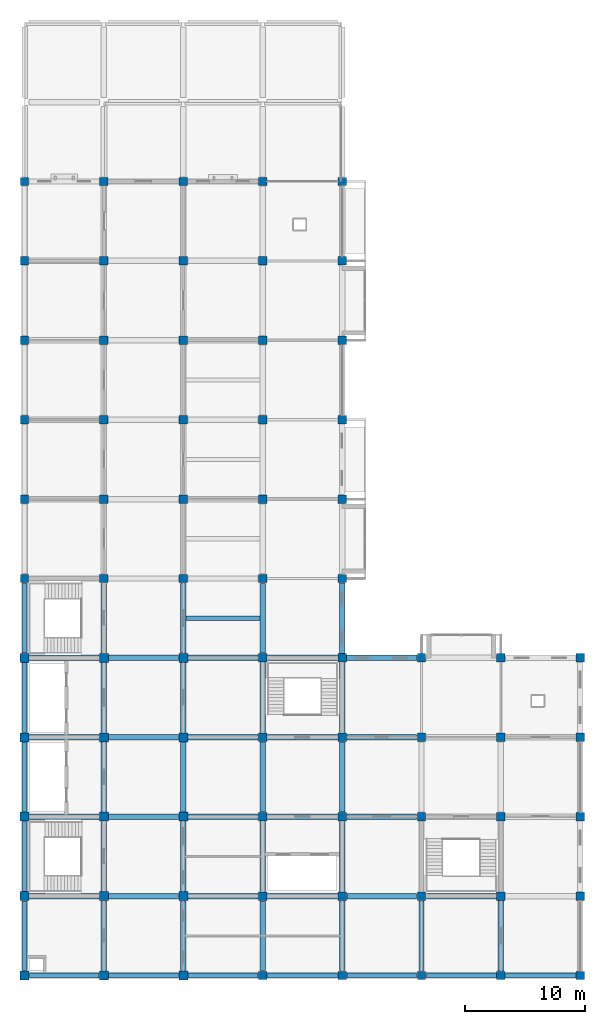
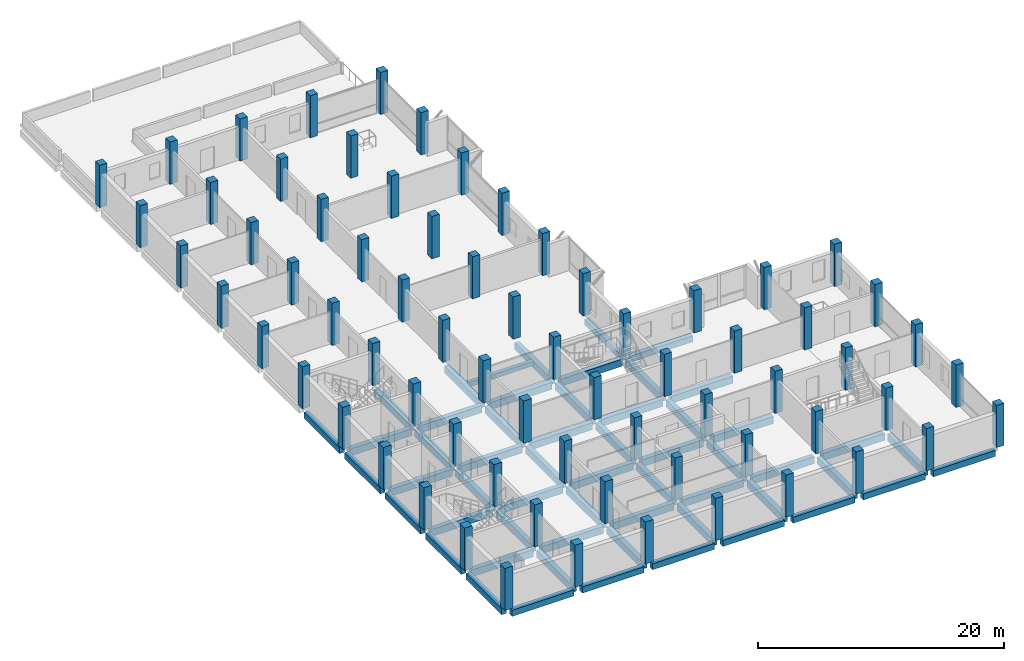
# One storey, part 1 of 13: 70 columns, 56 beams.
"""IFC4 building model written with IfcOpenShell, lengths in metres."""

from ifc_helpers import new_model, si_unit, direction, frame, origin, origin_2d, place, context, subcontext, project, spatial, rectangle, extrude, material, material_profile, profile_set, type_object, element, save


model = new_model("IFC4")

# Units and contexts
model_context = context("Model", 3, precision=1e-05, world=origin(), true_north=direction((0.0, 1.0)))
body_context = subcontext(model_context, "Body", "Model", "MODEL_VIEW")
ifc_project = project(units=[si_unit("LENGTHUNIT", "METRE"), si_unit("AREAUNIT", "SQUARE_METRE"), si_unit("VOLUMEUNIT", "CUBIC_METRE"), si_unit("PLANEANGLEUNIT", "RADIAN"), si_unit("MASSUNIT", "GRAM", prefix="KILO")], contexts=[model_context])

# Site, building, storey
site_placement = place(None, origin())
site = spatial("IfcSite", under=ifc_project, at=site_placement, CompositionType="ELEMENT")
building_placement = place(site_placement, origin())
building = spatial("IfcBuilding", under=site, at=building_placement, Name="Rusizi Kubbe Research Institute", CompositionType="ELEMENT")
storey_placement = place(building_placement, frame((0.0, 0.0, 35.39990234375)))
storey = spatial("IfcBuildingStorey", under=building, at=storey_placement, Name="L08", CompositionType="ELEMENT", Elevation=35.39990234375)

# Columns
ifc_material_1 = material(Name="Concrete C40/50", Category="concrete")
ifc_material_profile_1 = material_profile(ifc_material_1, rectangle(XDim=0.699951171875, YDim=0.699951171875, at=origin_2d()), Name="RC700x700")
ifc_profile_set_1 = profile_set([ifc_material_profile_1], Name="Concrete C40/50")
column_type_1 = type_object("IfcColumnType", Name="COL-700", PredefinedType="COLUMN", material=ifc_profile_set_1)
for number, where, z_axis, x_axis, name in (
    (1, (0.0, 33.0, 0.0), (0.0, 0.0, 1.0), (1.0, 0.0, 0.0), "Column 1F L08"),
    (2, (0.0, 39.60009765625, 0.0), (0.0, 0.0, 1.0), (1.0, 0.0, 0.0), "Column 1G L08"),
    (3, (0.0, 46.199951171875, 0.0), (0.0, 0.0, 1.0), (1.0, 0.0, 0.0), "Column 1H L08"),
    (4, (0.0, 52.800048828125, 0.0), (0.0, 0.0, 1.0), (1.0, 0.0, 0.0), "Column 1J L08"),
    (5, (0.0, 59.39990234375, 0.0), (0.0, 0.0, 1.0), (1.0, 0.0, 0.0), "Column 1K L08"),
    (6, (0.0, 66.0, 0.0), (0.0, 0.0, 1.0), (1.0, 0.0, 0.0), "Column 1L L08"),
    (7, (6.60009765625, 33.0, 0.0), (0.0, 0.0, 1.0), (1.0, 0.0, 0.0), "Column 2F L08"),
    (8, (6.60009765625, 39.60009765625, 0.0), (0.0, 0.0, 1.0), (1.0, 0.0, 0.0), "Column 2G L08"),
    (9, (6.60009765625, 46.199951171875, 0.0), (0.0, 0.0, 1.0), (1.0, 0.0, 0.0), "Column 2H L08"),
    (10, (6.60009765625, 52.800048828125, 0.0), (0.0, 0.0, 1.0), (1.0, 0.0, 0.0), "Column 2J L08"),
    (11, (6.60009765625, 59.39990234375, 0.0), (0.0, 0.0, 1.0), (1.0, 0.0, 0.0), "Column 2K L08"),
    (12, (6.60009765625, 66.0, 0.0), (0.0, 0.0, 1.0), (1.0, 0.0, 0.0), "Column 2L L08"),
    (13, (13.199951171875, 33.0, 0.0), (0.0, 0.0, 1.0), (1.0, 0.0, 0.0), "Column 3F L08"),
    (14, (13.199951171875, 39.60009765625, 0.0), (0.0, 0.0, 1.0), (1.0, 0.0, 0.0), "Column 3G L08"),
    (15, (13.199951171875, 46.199951171875, 0.0), (0.0, 0.0, 1.0), (1.0, 0.0, 0.0), "Column 3H L08"),
    (16, (13.199951171875, 52.800048828125, 0.0), (0.0, 0.0, 1.0), (1.0, 0.0, 0.0), "Column 3J L08"),
    (17, (13.199951171875, 59.39990234375, 0.0), (0.0, 0.0, 1.0), (1.0, 0.0, 0.0), "Column 3K L08"),
    (18, (13.199951171875, 66.0, 0.0), (0.0, 0.0, 1.0), (1.0, 0.0, 0.0), "Column 3L L08"),
    (19, (19.800048828125, 0.0, 0.0), (0.0, 0.0, 1.0), (1.0, 0.0, 0.0), "Column 4A L08"),
    (20, (19.800048828125, 6.60009765625, 0.0), (0.0, 0.0, 1.0), (1.0, 0.0, 0.0), "Column 4B L08"),
    (21, (19.800048828125, 13.199951171875, 0.0), (0.0, 0.0, 1.0), (1.0, 0.0, 0.0), "Column 4C L08"),
    (22, (19.800048828125, 19.800048828125, 0.0), (0.0, 0.0, 1.0), (1.0, 0.0, 0.0), "Column 4D L08"),
    (23, (19.800048828125, 26.39990234375, 0.0), (0.0, 0.0, 1.0), (1.0, 0.0, 0.0), "Column 4E L08"),
    (24, (19.800048828125, 33.0, 0.0), (0.0, 0.0, 1.0), (1.0, 0.0, 0.0), "Column 4F L08"),
    (25, (19.800048828125, 39.60009765625, 0.0), (0.0, 0.0, 1.0), (1.0, 0.0, 0.0), "Column 4G L08"),
    (26, (19.800048828125, 46.199951171875, 0.0), (0.0, 0.0, 1.0), (1.0, 0.0, 0.0), "Column 4H L08"),
    (27, (19.800048828125, 52.800048828125, 0.0), (0.0, 0.0, 1.0), (1.0, 0.0, 0.0), "Column 4J L08"),
    (28, (19.800048828125, 59.39990234375, 0.0), (0.0, 0.0, 1.0), (1.0, 0.0, 0.0), "Column 4K L08"),
    (29, (19.800048828125, 66.0, 0.0), (0.0, 0.0, 1.0), (1.0, 0.0, 0.0), "Column 4L L08"),
    (30, (26.39990234375, 0.0, 0.0), (0.0, 0.0, 1.0), (1.0, 0.0, 0.0), "Column 5A L08"),
    (31, (26.39990234375, 6.60009765625, 0.0), (0.0, 0.0, 1.0), (1.0, 0.0, 0.0), "Column 5B L08"),
    (32, (26.39990234375, 13.199951171875, 0.0), (0.0, 0.0, 1.0), (1.0, 0.0, 0.0), "Column 5C L08"),
    (33, (26.39990234375, 19.800048828125, 0.0), (0.0, 0.0, 1.0), (1.0, 0.0, 0.0), "Column 5D L08"),
    (34, (26.39990234375, 26.39990234375, 0.0), (0.0, 0.0, 1.0), (1.0, 0.0, 0.0), "Column 5E L08"),
    (35, (26.39990234375, 33.0, 0.0), (0.0, 0.0, 1.0), (1.0, 0.0, 0.0), "Column 5F L08"),
    (36, (26.39990234375, 39.60009765625, 0.0), (0.0, 0.0, 1.0), (1.0, 0.0, 0.0), "Column 5G L08"),
    (37, (26.39990234375, 46.199951171875, 0.0), (0.0, 0.0, 1.0), (1.0, 0.0, 0.0), "Column 5H L08"),
    (38, (26.39990234375, 52.800048828125, 0.0), (0.0, 0.0, 1.0), (1.0, 0.0, 0.0), "Column 5J L08"),
    (39, (26.39990234375, 59.39990234375, 0.0), (0.0, 0.0, 1.0), (1.0, 0.0, 0.0), "Column 5K L08"),
    (40, (26.39990234375, 66.0, 0.0), (0.0, 0.0, 1.0), (1.0, 0.0, 0.0), "Column 5L L08"),
    (41, (33.0, 0.0, 0.0), (0.0, 0.0, 1.0), (1.0, 0.0, 0.0), "Column 6A L08"),
    (42, (33.0, 6.60009765625, 0.0), (0.0, 0.0, 1.0), (1.0, 0.0, 0.0), "Column 6B L08"),
    (43, (33.0, 13.199951171875, 0.0), (0.0, 0.0, 1.0), (1.0, 0.0, 0.0), "Column 6C L08"),
    (44, (33.0, 19.800048828125, 0.0), (0.0, 0.0, 1.0), (1.0, 0.0, 0.0), "Column 6D L08"),
    (45, (33.0, 26.39990234375, 0.0), (0.0, 0.0, 1.0), (1.0, 0.0, 0.0), "Column 6E L08"),
    (46, (39.60009765625, 0.0, 0.0), (0.0, 0.0, 1.0), (1.0, 0.0, 0.0), "Column 7A L08"),
    (47, (39.60009765625, 6.60009765625, 0.0), (0.0, 0.0, 1.0), (1.0, 0.0, 0.0), "Column 7B L08"),
    (48, (39.60009765625, 13.199951171875, 0.0), (0.0, 0.0, 1.0), (1.0, 0.0, 0.0), "Column 7C L08"),
    (49, (39.60009765625, 19.800048828125, 0.0), (0.0, 0.0, 1.0), (1.0, 0.0, 0.0), "Column 7D L08"),
    (50, (39.60009765625, 26.39990234375, 0.0), (0.0, 0.0, 1.0), (1.0, 0.0, 0.0), "Column 7E L08"),
    (51, (46.199951171875, 0.0, 0.0), (0.0, 0.0, 1.0), (1.0, 0.0, 0.0), "Column 8A L08"),
    (52, (46.199951171875, 6.60009765625, 0.0), (0.0, 0.0, 1.0), (1.0, 0.0, 0.0), "Column 8B L08"),
    (53, (46.199951171875, 13.199951171875, 0.0), (0.0, 0.0, 1.0), (1.0, 0.0, 0.0), "Column 8C L08"),
    (54, (46.199951171875, 19.800048828125, 0.0), (0.0, 0.0, 1.0), (1.0, 0.0, 0.0), "Column 8D L08"),
    (55, (46.199951171875, 26.39990234375, 0.0), (0.0, 0.0, 1.0), (1.0, 0.0, 0.0), "Column 8E L08"),
):
    element("IfcColumn", number, at=place(storey_placement, frame(where, z_axis=z_axis, x_axis=x_axis)), inside=storey, type_object=column_type_1, Name=name, PredefinedType="COLUMN", context=body_context, shape_type="SweptSolid", body=[
        extrude(rectangle(XDim=0.699951171875, YDim=0.699951171875, at=origin_2d()), origin(), (0.0, 0.0, 1.0), 4.2001953125),
    ])
ifc_material_2 = material(Name="Concrete C40/50", Category="concrete")
ifc_material_profile_2 = material_profile(ifc_material_2, rectangle(XDim=0.75, YDim=0.75, at=origin_2d()), Name="RC750x750")
ifc_profile_set_2 = profile_set([ifc_material_profile_2], Name="Concrete C40/50")
column_type_2 = type_object("IfcColumnType", Name="COL-750", PredefinedType="COLUMN", material=ifc_profile_set_2)
for number, where, z_axis, x_axis, name in (
    (56, (0.0, 0.0, 0.0), (0.0, 0.0, 1.0), (1.0, 0.0, 0.0), "Column 1A L08"),
    (57, (0.0, 6.60009765625, 0.0), (0.0, 0.0, 1.0), (1.0, 0.0, 0.0), "Column 1B L08"),
    (58, (0.0, 13.199951171875, 0.0), (0.0, 0.0, 1.0), (1.0, 0.0, 0.0), "Column 1C L08"),
    (59, (0.0, 19.800048828125, 0.0), (0.0, 0.0, 1.0), (1.0, 0.0, 0.0), "Column 1D L08"),
    (60, (0.0, 26.39990234375, 0.0), (0.0, 0.0, 1.0), (1.0, 0.0, 0.0), "Column 1E L08"),
    (61, (6.60009765625, 0.0, 0.0), (0.0, 0.0, 1.0), (1.0, 0.0, 0.0), "Column 2A L08"),
    (62, (6.60009765625, 6.60009765625, 0.0), (0.0, 0.0, 1.0), (1.0, 0.0, 0.0), "Column 2B L08"),
    (63, (6.60009765625, 13.199951171875, 0.0), (0.0, 0.0, 1.0), (1.0, 0.0, 0.0), "Column 2C L08"),
    (64, (6.60009765625, 19.800048828125, 0.0), (0.0, 0.0, 1.0), (1.0, 0.0, 0.0), "Column 2D L08"),
    (65, (6.60009765625, 26.39990234375, 0.0), (0.0, 0.0, 1.0), (1.0, 0.0, 0.0), "Column 2E L08"),
    (66, (13.199951171875, 0.0, 0.0), (0.0, 0.0, 1.0), (1.0, 0.0, 0.0), "Column 3A L08"),
    (67, (13.199951171875, 6.60009765625, 0.0), (0.0, 0.0, 1.0), (1.0, 0.0, 0.0), "Column 3B L08"),
    (68, (13.199951171875, 13.199951171875, 0.0), (0.0, 0.0, 1.0), (1.0, 0.0, 0.0), "Column 3C L08"),
    (69, (13.199951171875, 19.800048828125, 0.0), (0.0, 0.0, 1.0), (1.0, 0.0, 0.0), "Column 3D L08"),
    (70, (13.199951171875, 26.39990234375, 0.0), (0.0, 0.0, 1.0), (1.0, 0.0, 0.0), "Column 3E L08"),
):
    element("IfcColumn", number, at=place(storey_placement, frame(where, z_axis=z_axis, x_axis=x_axis)), inside=storey, type_object=column_type_2, Name=name, PredefinedType="COLUMN", context=body_context, shape_type="SweptSolid", body=[
        extrude(rectangle(XDim=0.75, YDim=0.75, at=origin_2d()), origin(), (0.0, 0.0, 1.0), 4.2001953125),
    ])

# Beams
ifc_material_3 = material(Name="Concrete C40/50", Category="concrete")
ifc_material_profile_3 = material_profile(ifc_material_3, rectangle(XDim=0.35009765625, YDim=0.449951171875, at=origin_2d()), Name="RC350x450")
ifc_profile_set_3 = profile_set([ifc_material_profile_3], Name="Concrete C40/50")
beam_type_1 = type_object("IfcBeamType", Name="BM-RC350x450", PredefinedType="JOIST", material=ifc_profile_set_3)
beam_1_placement = place(storey_placement, frame((13.425048828125, 29.699951171875, -0.544921875), z_axis=(1.0, 0.0, 0.0), x_axis=(0.0, 1.0, 0.0)))
element("IfcBeam", 71, at=beam_1_placement, inside=storey, type_object=beam_type_1, Name="Lab Stiffener Joist L08 (2,4)", PredefinedType="JOIST", context=body_context, shape_type="SweptSolid", body=[
    extrude(rectangle(XDim=0.35009765625, YDim=0.449951171875, at=origin_2d()), origin(), (0.0, 0.0, 1.0), 6.14990234375),
])
ifc_material_4 = material(Name="Concrete C40/50", Category="concrete")
ifc_material_profile_4 = material_profile(ifc_material_4, rectangle(XDim=0.449951171875, YDim=0.60009765625, at=origin_2d()), Name="RC450x600")
ifc_profile_set_4 = profile_set([ifc_material_profile_4], Name="Concrete C40/50")
beam_type_2 = type_object("IfcBeamType", Name="BM-RC450x600", PredefinedType="SPANDREL", material=ifc_profile_set_4)
for number, where, z_axis, x_axis, name in (
    (72, (0.39990234375, 0.0, -0.619873046875), (1.0, 0.0, 0.0), (0.0, 1.0, 0.0), "Grid Beam H L08 (0,0)"),
    (73, (7.0, 0.0, -0.619873046875), (1.0, 0.0, 0.0), (0.0, 1.0, 0.0), "Grid Beam H L08 (1,0)"),
):
    element("IfcBeam", number, at=place(storey_placement, frame(where, z_axis=z_axis, x_axis=x_axis)), inside=storey, type_object=beam_type_2, Name=name, PredefinedType="SPANDREL", context=body_context, shape_type="SweptSolid", body=[
        extrude(rectangle(XDim=0.449951171875, YDim=0.60009765625, at=origin_2d()), origin(), (0.0, 0.0, 1.0), 5.800048828125),
    ])
beam_2_placement = place(storey_placement, frame((13.60009765625, 0.0, -0.619873046875), z_axis=(1.0, 0.0, 0.0), x_axis=(0.0, 1.0, 0.0)))
element("IfcBeam", 74, at=beam_2_placement, inside=storey, type_object=beam_type_2, Name="Grid Beam H L08 (2,0)", PredefinedType="SPANDREL", context=body_context, shape_type="SweptSolid", body=[
    extrude(rectangle(XDim=0.449951171875, YDim=0.60009765625, at=origin_2d()), origin(), (0.0, 0.0, 1.0), 5.7998046875),
])
for number, where, z_axis, x_axis, name in (
    (75, (20.199951171875, 0.0, -0.619873046875), (1.0, 0.0, 0.0), (0.0, 1.0, 0.0), "Grid Beam H L08 (3,0)"),
    (76, (26.800048828125, 0.0, -0.619873046875), (1.0, 0.0, 0.0), (0.0, 1.0, 0.0), "Grid Beam H L08 (4,0)"),
):
    element("IfcBeam", number, at=place(storey_placement, frame(where, z_axis=z_axis, x_axis=x_axis)), inside=storey, type_object=beam_type_2, Name=name, PredefinedType="SPANDREL", context=body_context, shape_type="SweptSolid", body=[
        extrude(rectangle(XDim=0.449951171875, YDim=0.60009765625, at=origin_2d()), origin(), (0.0, 0.0, 1.0), 5.800048828125),
    ])
beam_3_placement = place(storey_placement, frame((26.77490234375, 26.39990234375, -0.619873046875), z_axis=(1.0, 0.0, 0.0), x_axis=(0.0, 1.0, 0.0)))
element("IfcBeam", 77, at=beam_3_placement, inside=storey, type_object=beam_type_2, Name="Grid Beam H L08 (4,4)", PredefinedType="SPANDREL", context=body_context, shape_type="SweptSolid", body=[
    extrude(rectangle(XDim=0.449951171875, YDim=0.60009765625, at=origin_2d()), origin(), (0.0, 0.0, 1.0), 5.85009765625),
])
beam_4_placement = place(storey_placement, frame((33.39990234375, 0.0, -0.619873046875), z_axis=(1.0, 0.0, 0.0), x_axis=(0.0, 1.0, 0.0)))
element("IfcBeam", 78, at=beam_4_placement, inside=storey, type_object=beam_type_2, Name="Grid Beam H L08 (5,0)", PredefinedType="SPANDREL", context=body_context, shape_type="SweptSolid", body=[
    extrude(rectangle(XDim=0.449951171875, YDim=0.60009765625, at=origin_2d()), origin(), (0.0, 0.0, 1.0), 5.8251953125),
])
beam_5_placement = place(storey_placement, frame((39.97509765625, 0.0, -0.619873046875), z_axis=(1.0, 0.0, 0.0), x_axis=(0.0, 1.0, 0.0)))
element("IfcBeam", 79, at=beam_5_placement, inside=storey, type_object=beam_type_2, Name="Grid Beam H L08 (6,0)", PredefinedType="SPANDREL", context=body_context, shape_type="SweptSolid", body=[
    extrude(rectangle(XDim=0.449951171875, YDim=0.60009765625, at=origin_2d()), origin(), (0.0, 0.0, 1.0), 5.849853515625),
])
for number, where, z_axis, x_axis, name in (
    (80, (0.0, 0.39990234375, -0.619873046875), (0.0, 1.0, 0.0), (-1.0, 0.0, 0.0), "Grid Beam V L08 (0,0)"),
    (81, (0.0, 7.0, -0.619873046875), (0.0, 1.0, 0.0), (-1.0, 0.0, 0.0), "Grid Beam V L08 (0,1)"),
):
    element("IfcBeam", number, at=place(storey_placement, frame(where, z_axis=z_axis, x_axis=x_axis)), inside=storey, type_object=beam_type_2, Name=name, PredefinedType="SPANDREL", context=body_context, shape_type="SweptSolid", body=[
        extrude(rectangle(XDim=0.449951171875, YDim=0.60009765625, at=origin_2d()), origin(), (0.0, 0.0, 1.0), 5.800048828125),
    ])
beam_6_placement = place(storey_placement, frame((0.0, 13.60009765625, -0.619873046875), z_axis=(0.0, 1.0, 0.0), x_axis=(-1.0, 0.0, 0.0)))
element("IfcBeam", 82, at=beam_6_placement, inside=storey, type_object=beam_type_2, Name="Grid Beam V L08 (0,2)", PredefinedType="SPANDREL", context=body_context, shape_type="SweptSolid", body=[
    extrude(rectangle(XDim=0.449951171875, YDim=0.60009765625, at=origin_2d()), origin(), (0.0, 0.0, 1.0), 5.7998046875),
])
for number, where, z_axis, x_axis, name in (
    (83, (0.0, 20.199951171875, -0.619873046875), (0.0, 1.0, 0.0), (-1.0, 0.0, 0.0), "Grid Beam V L08 (0,3)"),
    (84, (0.0, 26.800048828125, -0.619873046875), (0.0, 1.0, 0.0), (-1.0, 0.0, 0.0), "Grid Beam V L08 (0,4)"),
):
    element("IfcBeam", number, at=place(storey_placement, frame(where, z_axis=z_axis, x_axis=x_axis)), inside=storey, type_object=beam_type_2, Name=name, PredefinedType="SPANDREL", context=body_context, shape_type="SweptSolid", body=[
        extrude(rectangle(XDim=0.449951171875, YDim=0.60009765625, at=origin_2d()), origin(), (0.0, 0.0, 1.0), 5.800048828125),
    ])
beam_7_placement = place(storey_placement, frame((26.39990234375, 26.77490234375, -0.619873046875), z_axis=(0.0, 1.0, 0.0), x_axis=(-1.0, 0.0, 0.0)))
element("IfcBeam", 85, at=beam_7_placement, inside=storey, type_object=beam_type_2, Name="Grid Beam V L08 (4,4)", PredefinedType="SPANDREL", context=body_context, shape_type="SweptSolid", body=[
    extrude(rectangle(XDim=0.449951171875, YDim=0.60009765625, at=origin_2d()), origin(), (0.0, 0.0, 1.0), 5.85009765625),
])
ifc_material_5 = material(Name="Concrete C40/50", Category="concrete")
ifc_material_profile_5 = material_profile(ifc_material_5, rectangle(XDim=0.449951171875, YDim=0.699951171875, at=origin_2d()), Name="RC450x700B")
ifc_profile_set_5 = profile_set([ifc_material_profile_5], Name="Concrete C40/50")
beam_type_3 = type_object("IfcBeamType", Name="BM-RC450x700", PredefinedType="BEAM", material=ifc_profile_set_5)
for number, where, z_axis, x_axis, name in (
    (86, (0.39990234375, 6.60009765625, -0.669921875), (1.0, 0.0, 0.0), (0.0, 1.0, 0.0), "Grid Beam H L08 (0,1)"),
    (87, (0.39990234375, 13.199951171875, -0.669921875), (1.0, 0.0, 0.0), (0.0, 1.0, 0.0), "Grid Beam H L08 (0,2)"),
    (88, (0.39990234375, 19.800048828125, -0.669921875), (1.0, 0.0, 0.0), (0.0, 1.0, 0.0), "Grid Beam H L08 (0,3)"),
    (89, (0.39990234375, 26.39990234375, -0.669921875), (1.0, 0.0, 0.0), (0.0, 1.0, 0.0), "Grid Beam H L08 (0,4)"),
    (90, (7.0, 6.60009765625, -0.669921875), (1.0, 0.0, 0.0), (0.0, 1.0, 0.0), "Grid Beam H L08 (1,1)"),
    (91, (7.0, 13.199951171875, -0.669921875), (1.0, 0.0, 0.0), (0.0, 1.0, 0.0), "Grid Beam H L08 (1,2)"),
    (92, (7.0, 19.800048828125, -0.669921875), (1.0, 0.0, 0.0), (0.0, 1.0, 0.0), "Grid Beam H L08 (1,3)"),
    (93, (7.0, 26.39990234375, -0.669921875), (1.0, 0.0, 0.0), (0.0, 1.0, 0.0), "Grid Beam H L08 (1,4)"),
):
    element("IfcBeam", number, at=place(storey_placement, frame(where, z_axis=z_axis, x_axis=x_axis)), inside=storey, type_object=beam_type_3, Name=name, PredefinedType="BEAM", context=body_context, shape_type="SweptSolid", body=[
        extrude(rectangle(XDim=0.449951171875, YDim=0.699951171875, at=origin_2d()), origin(), (0.0, 0.0, 1.0), 5.800048828125),
    ])
for number, where, z_axis, x_axis, name in (
    (94, (13.60009765625, 6.60009765625, -0.669921875), (1.0, 0.0, 0.0), (0.0, 1.0, 0.0), "Grid Beam H L08 (2,1)"),
    (95, (13.60009765625, 13.199951171875, -0.669921875), (1.0, 0.0, 0.0), (0.0, 1.0, 0.0), "Grid Beam H L08 (2,2)"),
    (96, (13.60009765625, 19.800048828125, -0.669921875), (1.0, 0.0, 0.0), (0.0, 1.0, 0.0), "Grid Beam H L08 (2,3)"),
    (97, (13.60009765625, 26.39990234375, -0.669921875), (1.0, 0.0, 0.0), (0.0, 1.0, 0.0), "Grid Beam H L08 (2,4)"),
):
    element("IfcBeam", number, at=place(storey_placement, frame(where, z_axis=z_axis, x_axis=x_axis)), inside=storey, type_object=beam_type_3, Name=name, PredefinedType="BEAM", context=body_context, shape_type="SweptSolid", body=[
        extrude(rectangle(XDim=0.449951171875, YDim=0.699951171875, at=origin_2d()), origin(), (0.0, 0.0, 1.0), 5.7998046875),
    ])
for number, where, z_axis, x_axis, name in (
    (98, (20.199951171875, 6.60009765625, -0.669921875), (1.0, 0.0, 0.0), (0.0, 1.0, 0.0), "Grid Beam H L08 (3,1)"),
    (99, (20.199951171875, 13.199951171875, -0.669921875), (1.0, 0.0, 0.0), (0.0, 1.0, 0.0), "Grid Beam H L08 (3,2)"),
    (100, (20.199951171875, 19.800048828125, -0.669921875), (1.0, 0.0, 0.0), (0.0, 1.0, 0.0), "Grid Beam H L08 (3,3)"),
):
    element("IfcBeam", number, at=place(storey_placement, frame(where, z_axis=z_axis, x_axis=x_axis)), inside=storey, type_object=beam_type_3, Name=name, PredefinedType="BEAM", context=body_context, shape_type="SweptSolid", body=[
        extrude(rectangle(XDim=0.449951171875, YDim=0.699951171875, at=origin_2d()), origin(), (0.0, 0.0, 1.0), 5.800048828125),
    ])
beam_8_placement = place(storey_placement, frame((20.199951171875, 26.39990234375, -0.669921875), z_axis=(1.0, 0.0, 0.0), x_axis=(0.0, 1.0, 0.0)))
element("IfcBeam", 101, at=beam_8_placement, inside=storey, type_object=beam_type_3, Name="Grid Beam H L08 (3,4)", PredefinedType="BEAM", context=body_context, shape_type="SweptSolid", body=[
    extrude(rectangle(XDim=0.449951171875, YDim=0.699951171875, at=origin_2d()), origin(), (0.0, 0.0, 1.0), 5.824951171875),
])
for number, where, z_axis, x_axis, name in (
    (102, (26.800048828125, 6.60009765625, -0.669921875), (1.0, 0.0, 0.0), (0.0, 1.0, 0.0), "Grid Beam H L08 (4,1)"),
    (103, (26.800048828125, 13.199951171875, -0.669921875), (1.0, 0.0, 0.0), (0.0, 1.0, 0.0), "Grid Beam H L08 (4,2)"),
    (104, (26.800048828125, 19.800048828125, -0.669921875), (1.0, 0.0, 0.0), (0.0, 1.0, 0.0), "Grid Beam H L08 (4,3)"),
):
    element("IfcBeam", number, at=place(storey_placement, frame(where, z_axis=z_axis, x_axis=x_axis)), inside=storey, type_object=beam_type_3, Name=name, PredefinedType="BEAM", context=body_context, shape_type="SweptSolid", body=[
        extrude(rectangle(XDim=0.449951171875, YDim=0.699951171875, at=origin_2d()), origin(), (0.0, 0.0, 1.0), 5.800048828125),
    ])
beam_9_placement = place(storey_placement, frame((33.39990234375, 6.60009765625, -0.669921875), z_axis=(1.0, 0.0, 0.0), x_axis=(0.0, 1.0, 0.0)))
element("IfcBeam", 105, at=beam_9_placement, inside=storey, type_object=beam_type_3, Name="Grid Beam H L08 (5,1)", PredefinedType="BEAM", context=body_context, shape_type="SweptSolid", body=[
    extrude(rectangle(XDim=0.449951171875, YDim=0.699951171875, at=origin_2d()), origin(), (0.0, 0.0, 1.0), 5.8251953125),
])
for number, where, z_axis, x_axis, name in (
    (106, (6.60009765625, 0.39990234375, -0.669921875), (0.0, 1.0, 0.0), (-1.0, 0.0, 0.0), "Grid Beam V L08 (1,0)"),
    (107, (6.60009765625, 7.0, -0.669921875), (0.0, 1.0, 0.0), (-1.0, 0.0, 0.0), "Grid Beam V L08 (1,1)"),
):
    element("IfcBeam", number, at=place(storey_placement, frame(where, z_axis=z_axis, x_axis=x_axis)), inside=storey, type_object=beam_type_3, Name=name, PredefinedType="BEAM", context=body_context, shape_type="SweptSolid", body=[
        extrude(rectangle(XDim=0.449951171875, YDim=0.699951171875, at=origin_2d()), origin(), (0.0, 0.0, 1.0), 5.800048828125),
    ])
beam_10_placement = place(storey_placement, frame((6.60009765625, 13.60009765625, -0.669921875), z_axis=(0.0, 1.0, 0.0), x_axis=(-1.0, 0.0, 0.0)))
element("IfcBeam", 108, at=beam_10_placement, inside=storey, type_object=beam_type_3, Name="Grid Beam V L08 (1,2)", PredefinedType="BEAM", context=body_context, shape_type="SweptSolid", body=[
    extrude(rectangle(XDim=0.449951171875, YDim=0.699951171875, at=origin_2d()), origin(), (0.0, 0.0, 1.0), 5.7998046875),
])
for number, where, z_axis, x_axis, name in (
    (109, (6.60009765625, 20.199951171875, -0.669921875), (0.0, 1.0, 0.0), (-1.0, 0.0, 0.0), "Grid Beam V L08 (1,3)"),
    (110, (6.60009765625, 26.800048828125, -0.669921875), (0.0, 1.0, 0.0), (-1.0, 0.0, 0.0), "Grid Beam V L08 (1,4)"),
    (111, (13.199951171875, 0.39990234375, -0.669921875), (0.0, 1.0, 0.0), (-1.0, 0.0, 0.0), "Grid Beam V L08 (2,0)"),
    (112, (13.199951171875, 7.0, -0.669921875), (0.0, 1.0, 0.0), (-1.0, 0.0, 0.0), "Grid Beam V L08 (2,1)"),
):
    element("IfcBeam", number, at=place(storey_placement, frame(where, z_axis=z_axis, x_axis=x_axis)), inside=storey, type_object=beam_type_3, Name=name, PredefinedType="BEAM", context=body_context, shape_type="SweptSolid", body=[
        extrude(rectangle(XDim=0.449951171875, YDim=0.699951171875, at=origin_2d()), origin(), (0.0, 0.0, 1.0), 5.800048828125),
    ])
beam_11_placement = place(storey_placement, frame((13.199951171875, 13.60009765625, -0.669921875), z_axis=(0.0, 1.0, 0.0), x_axis=(-1.0, 0.0, 0.0)))
element("IfcBeam", 113, at=beam_11_placement, inside=storey, type_object=beam_type_3, Name="Grid Beam V L08 (2,2)", PredefinedType="BEAM", context=body_context, shape_type="SweptSolid", body=[
    extrude(rectangle(XDim=0.449951171875, YDim=0.699951171875, at=origin_2d()), origin(), (0.0, 0.0, 1.0), 5.7998046875),
])
for number, where, z_axis, x_axis, name in (
    (114, (13.199951171875, 20.199951171875, -0.669921875), (0.0, 1.0, 0.0), (-1.0, 0.0, 0.0), "Grid Beam V L08 (2,3)"),
    (115, (13.199951171875, 26.800048828125, -0.669921875), (0.0, 1.0, 0.0), (-1.0, 0.0, 0.0), "Grid Beam V L08 (2,4)"),
    (116, (19.800048828125, 0.39990234375, -0.669921875), (0.0, 1.0, 0.0), (-1.0, 0.0, 0.0), "Grid Beam V L08 (3,0)"),
    (117, (19.800048828125, 7.0, -0.669921875), (0.0, 1.0, 0.0), (-1.0, 0.0, 0.0), "Grid Beam V L08 (3,1)"),
):
    element("IfcBeam", number, at=place(storey_placement, frame(where, z_axis=z_axis, x_axis=x_axis)), inside=storey, type_object=beam_type_3, Name=name, PredefinedType="BEAM", context=body_context, shape_type="SweptSolid", body=[
        extrude(rectangle(XDim=0.449951171875, YDim=0.699951171875, at=origin_2d()), origin(), (0.0, 0.0, 1.0), 5.800048828125),
    ])
beam_12_placement = place(storey_placement, frame((19.800048828125, 13.60009765625, -0.669921875), z_axis=(0.0, 1.0, 0.0), x_axis=(-1.0, 0.0, 0.0)))
element("IfcBeam", 118, at=beam_12_placement, inside=storey, type_object=beam_type_3, Name="Grid Beam V L08 (3,2)", PredefinedType="BEAM", context=body_context, shape_type="SweptSolid", body=[
    extrude(rectangle(XDim=0.449951171875, YDim=0.699951171875, at=origin_2d()), origin(), (0.0, 0.0, 1.0), 5.7998046875),
])
for number, where, z_axis, x_axis, name in (
    (119, (19.800048828125, 20.199951171875, -0.669921875), (0.0, 1.0, 0.0), (-1.0, 0.0, 0.0), "Grid Beam V L08 (3,3)"),
    (120, (19.800048828125, 26.800048828125, -0.669921875), (0.0, 1.0, 0.0), (-1.0, 0.0, 0.0), "Grid Beam V L08 (3,4)"),
    (121, (26.39990234375, 0.39990234375, -0.669921875), (0.0, 1.0, 0.0), (-1.0, 0.0, 0.0), "Grid Beam V L08 (4,0)"),
    (122, (26.39990234375, 7.0, -0.669921875), (0.0, 1.0, 0.0), (-1.0, 0.0, 0.0), "Grid Beam V L08 (4,1)"),
):
    element("IfcBeam", number, at=place(storey_placement, frame(where, z_axis=z_axis, x_axis=x_axis)), inside=storey, type_object=beam_type_3, Name=name, PredefinedType="BEAM", context=body_context, shape_type="SweptSolid", body=[
        extrude(rectangle(XDim=0.449951171875, YDim=0.699951171875, at=origin_2d()), origin(), (0.0, 0.0, 1.0), 5.800048828125),
    ])
beam_13_placement = place(storey_placement, frame((26.39990234375, 13.60009765625, -0.669921875), z_axis=(0.0, 1.0, 0.0), x_axis=(-1.0, 0.0, 0.0)))
element("IfcBeam", 123, at=beam_13_placement, inside=storey, type_object=beam_type_3, Name="Grid Beam V L08 (4,2)", PredefinedType="BEAM", context=body_context, shape_type="SweptSolid", body=[
    extrude(rectangle(XDim=0.449951171875, YDim=0.699951171875, at=origin_2d()), origin(), (0.0, 0.0, 1.0), 5.7998046875),
])
beam_14_placement = place(storey_placement, frame((26.39990234375, 20.199951171875, -0.669921875), z_axis=(0.0, 1.0, 0.0), x_axis=(-1.0, 0.0, 0.0)))
element("IfcBeam", 124, at=beam_14_placement, inside=storey, type_object=beam_type_3, Name="Grid Beam V L08 (4,3)", PredefinedType="BEAM", context=body_context, shape_type="SweptSolid", body=[
    extrude(rectangle(XDim=0.449951171875, YDim=0.699951171875, at=origin_2d()), origin(), (0.0, 0.0, 1.0), 5.824951171875),
])
beam_15_placement = place(storey_placement, frame((33.0, 0.39990234375, -0.669921875), z_axis=(0.0, 1.0, 0.0), x_axis=(-1.0, 0.0, 0.0)))
element("IfcBeam", 125, at=beam_15_placement, inside=storey, type_object=beam_type_3, Name="Grid Beam V L08 (5,0)", PredefinedType="BEAM", context=body_context, shape_type="SweptSolid", body=[
    extrude(rectangle(XDim=0.449951171875, YDim=0.699951171875, at=origin_2d()), origin(), (0.0, 0.0, 1.0), 5.800048828125),
])
beam_16_placement = place(storey_placement, frame((39.60009765625, 0.375, -0.669921875), z_axis=(0.0, 1.0, 0.0), x_axis=(-1.0, 0.0, 0.0)))
element("IfcBeam", 126, at=beam_16_placement, inside=storey, type_object=beam_type_3, Name="Grid Beam V L08 (6,0)", PredefinedType="BEAM", context=body_context, shape_type="SweptSolid", body=[
    extrude(rectangle(XDim=0.449951171875, YDim=0.699951171875, at=origin_2d()), origin(), (0.0, 0.0, 1.0), 5.85009765625),
])

save(model, "model.ifc")
